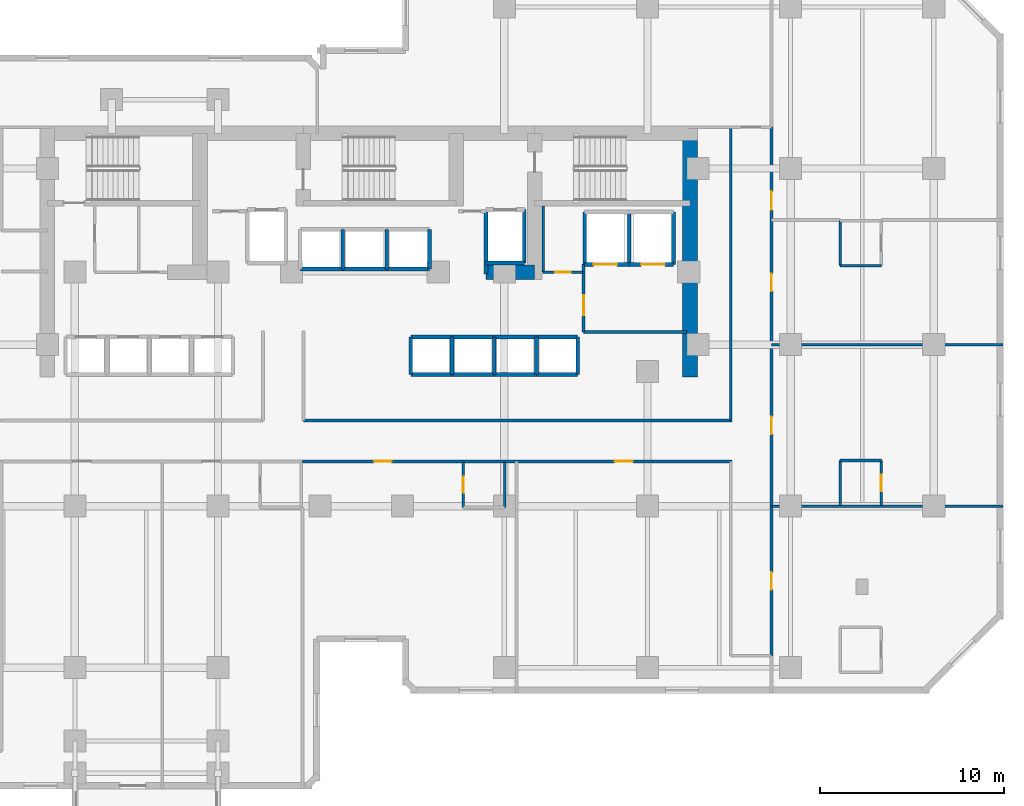
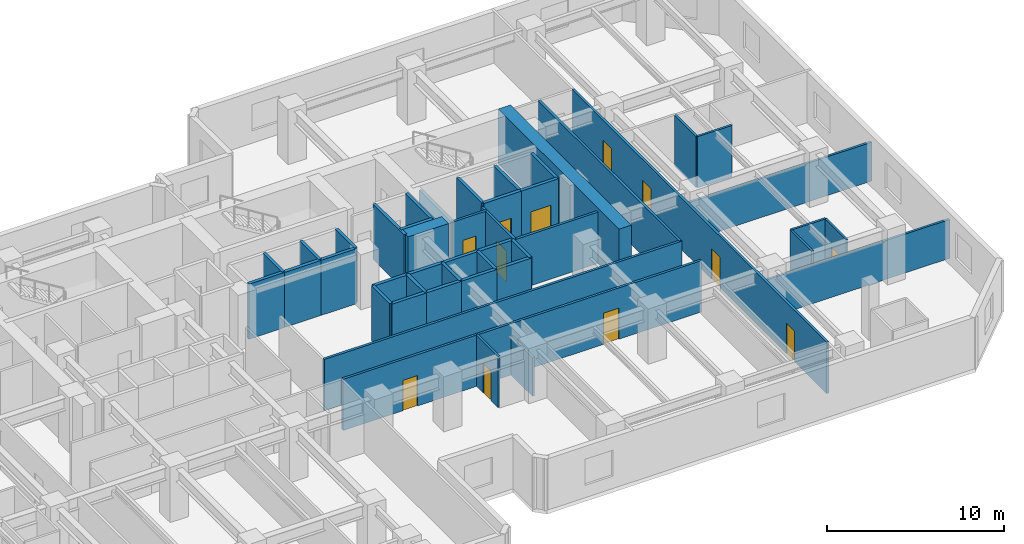
# One storey, part 8 of 12: 46 walls, 12 doors, 12 openings.
"""IFC4 building model written with IfcOpenShell, lengths in metres."""

from ifc_helpers import new_model, si_unit, direction, frame, frame_2d, origin, place, context, subcontext, project, spatial, rectangle, extrude, material, layer, layer_set, type_object, element, fill, save


model = new_model("IFC4")

# Units and contexts
model_context = context("Model", 3, precision=1e-05, world=origin(), true_north=direction((0.0, 1.0)))
body_context = subcontext(model_context, "Body", "Model", "MODEL_VIEW")
ifc_project = project(units=[si_unit("LENGTHUNIT", "METRE"), si_unit("AREAUNIT", "SQUARE_METRE"), si_unit("VOLUMEUNIT", "CUBIC_METRE"), si_unit("PLANEANGLEUNIT", "RADIAN"), si_unit("MASSUNIT", "GRAM", prefix="KILO")], contexts=[model_context])

# Site, building, storey
site_placement = place(None, origin())
site = spatial("IfcSite", under=ifc_project, at=site_placement, CompositionType="ELEMENT")
building_placement = place(site_placement, origin())
building = spatial("IfcBuilding", under=site, at=building_placement, Name="Kestravale Grand Hotel", CompositionType="ELEMENT")
storey_placement = place(building_placement, frame((0.0, 0.0, 99.39990234375)))
storey = spatial("IfcBuildingStorey", under=building, at=storey_placement, Name="L24", CompositionType="ELEMENT", Elevation=99.39990234375)

# Walls
ifc_material_1 = material(Name="Concrete f'c 60 MPa", Category="concrete")
ifc_layer_1 = layer(ifc_material_1, 0.800048828125)
ifc_layer_set_1 = layer_set([ifc_layer_1], Name="EW-CORE-800")
wall_type_1 = type_object("IfcWallType", Name="EW-CORE-800", PredefinedType="SHEAR", material=ifc_layer_set_1)
wall_1_placement = place(storey_placement, frame((56.919921875, 27.050048828125, 0.0), z_axis=(0.0, 0.0, 1.0), x_axis=(0.0, 1.0, 0.0)))
element("IfcWall", 1, at=wall_1_placement, inside=storey, type_object=wall_type_1, Name="L24 core shear wall E1", PredefinedType="SHEAR", context=body_context, shape_type="SweptSolid", body=[
    extrude(rectangle(XDim=13.669921875, YDim=0.800048828125, at=frame_2d((6.8349609375, 0.0))), origin(), (0.0, 0.0, 1.0), 3.800048828125),
])
wall_2_placement = place(storey_placement, frame((45.81005859375, 32.75, 0.0), z_axis=(0.0, 0.0, 1.0), x_axis=(1.0, 0.0, 0.0)))
element("IfcWall", 2, at=wall_2_placement, inside=storey, type_object=wall_type_1, Name="L24 core shear wall S2", PredefinedType="SHEAR", context=body_context, shape_type="SweptSolid", body=[
    extrude(rectangle(XDim=2.639892578125, YDim=0.800048828125, at=frame_2d((1.31982421875, 0.0))), origin(), (0.0, 0.0, 1.0), 3.800048828125),
])

# Wall, opening, door
ifc_material_2 = material(Name="Acoustic fire-rated gypsum board partition", Category="other")
ifc_layer_2 = layer(ifc_material_2, 0.159912109375)
ifc_layer_set_2 = layer_set([ifc_layer_2], Name="IW-CORR-160")
wall_type_2 = type_object("IfcWallType", Name="IW-CORR-160", PredefinedType="PARTITIONING", material=ifc_layer_set_2)
wall_3_placement = place(storey_placement, frame((51.1201171875, 29.5, 0.0), z_axis=(0.0, 0.0, 1.0), x_axis=(0.0, 1.0, 0.0)))
wall_3 = element("IfcWall", 3, at=wall_3_placement, inside=storey, type_object=wall_type_2, Name="W-L24-SVCLOB-W", PredefinedType="PARTITIONING", context=body_context, shape_type="SweptSolid", body=[
    extrude(rectangle(XDim=3.699951171875, YDim=0.159912109375, at=frame_2d((1.85009765625, 0.0))), origin(), (0.0, 0.0, 1.0), 3.5400390625),
])
opening_1_placement = place(wall_3_placement, frame((0.89990234375, 0.0, 0.0)))
opening_1 = element("IfcOpeningElement", 4, at=opening_1_placement, cuts=wall_3, Name="Opening D-CORR-1100", PredefinedType="OPENING", context=body_context, shape_type="SweptSolid", body=[
    extrude(rectangle(XDim=1.10009765625, YDim=2.14990234375, at=frame_2d((0.550048828125, 1.074951171875))), frame((0.0, 0.08984375, 0.0), z_axis=(0.0, -1.0, 0.0), x_axis=(1.0, 0.0, 0.0)), (0.0, 0.0, 1.0), 0.179931640625),
])
ifc_material_3 = material(Name="Single-leaf service vestibule fire door", Category="steel")
door_type_1 = type_object("IfcDoorType", Name="D-CORR-1100", OperationType="NOTDEFINED", PredefinedType="DOOR", material=ifc_material_3)
door_1_placement = place(opening_1_placement, origin())
door_1 = element("IfcDoor", 5, at=door_1_placement, inside=storey, type_object=door_type_1, Name="L24 service lift lobby door", OperationType="SINGLE_SWING_LEFT", OverallHeight=2.14990234375, OverallWidth=1.10009765625, PredefinedType="DOOR", context=body_context, shape_type="SweptSolid", body=[
    extrude(rectangle(XDim=1.10009765625, YDim=2.14990234375, at=frame_2d((0.550048828125, 1.074951171875))), frame((0.0, 0.02490234375, 0.0), z_axis=(0.0, -1.0, 0.0), x_axis=(1.0, 0.0, 0.0)), (0.0, 0.0, 1.0), 0.050048828125),
])
fill(opening_1, door_1)

# Wall
wall_4_placement = place(storey_placement, frame((51.1201171875, 29.5, 0.0), z_axis=(0.0, 0.0, 1.0), x_axis=(1.0, 0.0, 0.0)))
element("IfcWall", 6, at=wall_4_placement, inside=storey, type_object=wall_type_2, Name="L24 service lift lobby wall", PredefinedType="PARTITIONING", context=body_context, shape_type="SweptSolid", body=[
    extrude(rectangle(XDim=5.6298828125, YDim=0.159912109375, at=frame_2d((2.81494140625, 0.0))), origin(), (0.0, 0.0, 1.0), 3.5400390625),
])

# Wall, opening, door
wall_5_placement = place(storey_placement, frame((48.919921875, 32.75, 0.0), z_axis=(0.0, 0.0, 1.0), x_axis=(1.0, 0.0, 0.0)))
wall_5 = element("IfcWall", 7, at=wall_5_placement, inside=storey, type_object=wall_type_2, Name="W-L24-CES", PredefinedType="PARTITIONING", context=body_context, shape_type="SweptSolid", body=[
    extrude(rectangle(XDim=2.2001953125, YDim=0.159912109375, at=frame_2d((1.10009765625, 0.0))), origin(), (0.0, 0.0, 1.0), 3.5400390625),
])
opening_2_placement = place(wall_5_placement, frame((0.64990234375, 0.0, 0.0)))
opening_2 = element("IfcOpeningElement", 8, at=opening_2_placement, cuts=wall_5, Name="Opening D-SH-860", PredefinedType="OPENING", context=body_context, shape_type="SweptSolid", body=[
    extrude(rectangle(XDim=0.860107421875, YDim=2.050048828125, at=frame_2d((0.43017578125, 1.02490234375))), frame((0.0, 0.08984375, 0.0), z_axis=(0.0, -1.0, 0.0), x_axis=(1.0, 0.0, 0.0)), (0.0, 0.0, 1.0), 0.179931640625),
])
ifc_material_4 = material(Name="Galvanised 90-minute riser fire door", Category="steel")
door_type_2 = type_object("IfcDoorType", Name="D-SH-860", OperationType="NOTDEFINED", PredefinedType="DOOR", material=ifc_material_4)
door_2_placement = place(opening_2_placement, origin())
door_2 = element("IfcDoor", 9, at=door_2_placement, inside=storey, type_object=door_type_2, Name="L24 CSTO1 door", OperationType="SINGLE_SWING_RIGHT", OverallHeight=2.050048828125, OverallWidth=0.860107421875, PredefinedType="DOOR", context=body_context, shape_type="SweptSolid", body=[
    extrude(rectangle(XDim=0.860107421875, YDim=2.050048828125, at=frame_2d((0.43017578125, 1.02490234375))), frame((0.0, 0.02490234375, 0.0), z_axis=(0.0, -1.0, 0.0), x_axis=(1.0, 0.0, 0.0)), (0.0, 0.0, 1.0), 0.050048828125),
])
fill(opening_2, door_2)

# Wall
wall_6_placement = place(storey_placement, frame((35.85009765625, 24.659912109375, 0.0), z_axis=(0.0, 0.0, 1.0), x_axis=(1.0, 0.0, 0.0)))
element("IfcWall", 10, at=wall_6_placement, inside=storey, type_object=wall_type_2, Name="W-L24-CE-N", PredefinedType="PARTITIONING", context=body_context, shape_type="SweptSolid", body=[
    extrude(rectangle(XDim=23.349853515625, YDim=0.159912109375, at=frame_2d((11.6748046875, 0.0))), origin(), (0.0, 0.0, 1.0), 3.5400390625),
])

# Wall, openings, doors
wall_7_placement = place(storey_placement, frame((35.800048828125, 22.43994140625, 0.0), z_axis=(0.0, 0.0, 1.0), x_axis=(1.0, 0.0, 0.0)))
wall_7 = element("IfcWall", 11, at=wall_7_placement, inside=storey, type_object=wall_type_2, Name="W-L24-CE-S", PredefinedType="PARTITIONING", context=body_context, shape_type="SweptSolid", body=[
    extrude(rectangle(XDim=23.39990234375, YDim=0.159912109375, at=frame_2d((11.699951171875, 0.0))), origin(), (0.0, 0.0, 1.0), 3.5400390625),
])
opening_3_placement = place(wall_7_placement, frame((3.909912109375, 0.0, 0.0)))
opening_3 = element("IfcOpeningElement", 12, at=opening_3_placement, cuts=wall_7, Name="Opening D-GUEST-950", PredefinedType="OPENING", context=body_context, shape_type="SweptSolid", body=[
    extrude(rectangle(XDim=0.949951171875, YDim=2.10009765625, at=frame_2d((0.47509765625, 1.050048828125))), frame((0.0, 0.08984375, 0.0), z_axis=(0.0, -1.0, 0.0), x_axis=(1.0, 0.0, 0.0)), (0.0, 0.0, 1.0), 0.179931640625),
])
opening_4_placement = place(wall_7_placement, frame((17.0048828125, 0.0, 0.0)))
opening_4 = element("IfcOpeningElement", 13, at=opening_4_placement, cuts=wall_7, Name="Opening D-GUEST-1000", PredefinedType="OPENING", context=body_context, shape_type="SweptSolid", body=[
    extrude(rectangle(XDim=1.0, YDim=2.14990234375, at=frame_2d((0.5, 1.074951171875))), frame((0.0, 0.08984375, 0.0), z_axis=(0.0, -1.0, 0.0), x_axis=(1.0, 0.0, 0.0)), (0.0, 0.0, 1.0), 0.179931640625),
])
ifc_material_5 = material(Name="Accessible walnut veneer hotel entrance fire door", Category="wood")
door_type_3 = type_object("IfcDoorType", Name="D-GUEST-1000", OperationType="NOTDEFINED", PredefinedType="DOOR", material=ifc_material_5)
door_3_placement = place(opening_4_placement, origin())
door_3 = element("IfcDoor", 14, at=door_3_placement, inside=storey, type_object=door_type_3, Name="D-L24-AME", OperationType="SINGLE_SWING_RIGHT", OverallHeight=2.14990234375, OverallWidth=1.0, PredefinedType="DOOR", context=body_context, shape_type="SweptSolid", body=[
    extrude(rectangle(XDim=1.0, YDim=2.14990234375, at=frame_2d((0.5, 1.074951171875))), frame((0.0, 0.02490234375, 0.0), z_axis=(0.0, -1.0, 0.0), x_axis=(1.0, 0.0, 0.0)), (0.0, 0.0, 1.0), 0.050048828125),
])
fill(opening_4, door_3)
ifc_material_6 = material(Name="Walnut veneer hotel guestroom entrance fire door", Category="wood")
door_type_4 = type_object("IfcDoorType", Name="D-GUEST-950", OperationType="NOTDEFINED", PredefinedType="DOOR", material=ifc_material_6)
door_4_placement = place(opening_3_placement, origin())
door_4 = element("IfcDoor", 15, at=door_4_placement, inside=storey, type_object=door_type_4, Name="D-L24-U02-ENT", OperationType="SINGLE_SWING_LEFT", OverallHeight=2.10009765625, OverallWidth=0.949951171875, PredefinedType="DOOR", context=body_context, shape_type="SweptSolid", body=[
    extrude(rectangle(XDim=0.949951171875, YDim=2.10009765625, at=frame_2d((0.47509765625, 1.050048828125))), frame((0.0, 0.02490234375, 0.0), z_axis=(0.0, -1.0, 0.0), x_axis=(1.0, 0.0, 0.0)), (0.0, 0.0, 1.0), 0.050048828125),
])
fill(opening_3, door_4)

wall_8_placement = place(storey_placement, frame((61.360107421875, 11.85009765625, 0.0), z_axis=(0.0, 0.0, 1.0), x_axis=(0.0, 1.0, 0.0)))
wall_8 = element("IfcWall", 16, at=wall_8_placement, inside=storey, type_object=wall_type_2, Name="W-L24-SE-E", PredefinedType="PARTITIONING", context=body_context, shape_type="SweptSolid", body=[
    extrude(rectangle(XDim=28.7998046875, YDim=0.159912109375, at=frame_2d((14.39990234375, 0.0))), origin(), (0.0, 0.0, 1.0), 3.5400390625),
])
opening_5_placement = place(wall_8_placement, frame((3.60009765625, 0.0, 0.0)))
opening_5 = element("IfcOpeningElement", 17, at=opening_5_placement, cuts=wall_8, Name="Opening D-GUEST-950", PredefinedType="OPENING", context=body_context, shape_type="SweptSolid", body=[
    extrude(rectangle(XDim=0.949951171875, YDim=2.10009765625, at=frame_2d((0.47509765625, 1.050048828125))), frame((0.0, 0.08984375, 0.0), z_axis=(0.0, -1.0, 0.0), x_axis=(1.0, 0.0, 0.0)), (0.0, 0.0, 1.0), 0.179931640625),
])
opening_6_placement = place(wall_8_placement, frame((12.074951171875, 0.0, 0.0)))
opening_6 = element("IfcOpeningElement", 18, at=opening_6_placement, cuts=wall_8, Name="Opening D-GUEST-950", PredefinedType="OPENING", context=body_context, shape_type="SweptSolid", body=[
    extrude(rectangle(XDim=0.949951171875, YDim=2.10009765625, at=frame_2d((0.47509765625, 1.050048828125))), frame((0.0, 0.08984375, 0.0), z_axis=(0.0, -1.0, 0.0), x_axis=(1.0, 0.0, 0.0)), (0.0, 0.0, 1.0), 0.179931640625),
])
opening_7_placement = place(wall_8_placement, frame((19.875, 0.0, 0.0)))
opening_7 = element("IfcOpeningElement", 19, at=opening_7_placement, cuts=wall_8, Name="Opening D-GUEST-950", PredefinedType="OPENING", context=body_context, shape_type="SweptSolid", body=[
    extrude(rectangle(XDim=0.949951171875, YDim=2.10009765625, at=frame_2d((0.47509765625, 1.050048828125))), frame((0.0, 0.08984375, 0.0), z_axis=(0.0, -1.0, 0.0), x_axis=(1.0, 0.0, 0.0)), (0.0, 0.0, 1.0), 0.179931640625),
])
opening_8_placement = place(wall_8_placement, frame((24.300048828125, 0.0, 0.0)))
opening_8 = element("IfcOpeningElement", 20, at=opening_8_placement, cuts=wall_8, Name="Opening D-GUEST-1000", PredefinedType="OPENING", context=body_context, shape_type="SweptSolid", body=[
    extrude(rectangle(XDim=1.0, YDim=2.14990234375, at=frame_2d((0.5, 1.074951171875))), frame((0.0, 0.08984375, 0.0), z_axis=(0.0, -1.0, 0.0), x_axis=(1.0, 0.0, 0.0)), (0.0, 0.0, 1.0), 0.179931640625),
])
door_5_placement = place(opening_8_placement, origin())
door_5 = element("IfcDoor", 21, at=door_5_placement, inside=storey, type_object=door_type_3, Name="D-L24-AMEW", OperationType="SINGLE_SWING_RIGHT", OverallHeight=2.14990234375, OverallWidth=1.0, PredefinedType="DOOR", context=body_context, shape_type="SweptSolid", body=[
    extrude(rectangle(XDim=1.0, YDim=2.14990234375, at=frame_2d((0.5, 1.074951171875))), frame((0.0, 0.02490234375, 0.0), z_axis=(0.0, -1.0, 0.0), x_axis=(1.0, 0.0, 0.0)), (0.0, 0.0, 1.0), 0.050048828125),
])
fill(opening_8, door_5)
door_6_placement = place(opening_5_placement, origin())
door_6 = element("IfcDoor", 22, at=door_6_placement, inside=storey, type_object=door_type_4, Name="D-L24-U07-ENT", OperationType="SINGLE_SWING_LEFT", OverallHeight=2.10009765625, OverallWidth=0.949951171875, PredefinedType="DOOR", context=body_context, shape_type="SweptSolid", body=[
    extrude(rectangle(XDim=0.949951171875, YDim=2.10009765625, at=frame_2d((0.47509765625, 1.050048828125))), frame((0.0, 0.02490234375, 0.0), z_axis=(0.0, -1.0, 0.0), x_axis=(1.0, 0.0, 0.0)), (0.0, 0.0, 1.0), 0.050048828125),
])
fill(opening_5, door_6)
door_7_placement = place(opening_6_placement, origin())
door_7 = element("IfcDoor", 23, at=door_7_placement, inside=storey, type_object=door_type_4, Name="D-L24-U08-ENT", OperationType="SINGLE_SWING_LEFT", OverallHeight=2.10009765625, OverallWidth=0.949951171875, PredefinedType="DOOR", context=body_context, shape_type="SweptSolid", body=[
    extrude(rectangle(XDim=0.949951171875, YDim=2.10009765625, at=frame_2d((0.47509765625, 1.050048828125))), frame((0.0, 0.02490234375, 0.0), z_axis=(0.0, -1.0, 0.0), x_axis=(1.0, 0.0, 0.0)), (0.0, 0.0, 1.0), 0.050048828125),
])
fill(opening_6, door_7)
door_8_placement = place(opening_7_placement, origin())
door_8 = element("IfcDoor", 24, at=door_8_placement, inside=storey, type_object=door_type_4, Name="D-L24-U09-ENT", OperationType="SINGLE_SWING_LEFT", OverallHeight=2.10009765625, OverallWidth=0.949951171875, PredefinedType="DOOR", context=body_context, shape_type="SweptSolid", body=[
    extrude(rectangle(XDim=0.949951171875, YDim=2.10009765625, at=frame_2d((0.47509765625, 1.050048828125))), frame((0.0, 0.02490234375, 0.0), z_axis=(0.0, -1.0, 0.0), x_axis=(1.0, 0.0, 0.0)), (0.0, 0.0, 1.0), 0.050048828125),
])
fill(opening_7, door_8)

# Wall
wall_9_placement = place(storey_placement, frame((59.139892578125, 24.659912109375, 0.0), z_axis=(0.0, 0.0, 1.0), x_axis=(0.0, 1.0, 0.0)))
element("IfcWall", 25, at=wall_9_placement, inside=storey, type_object=wall_type_2, Name="W-L24-SE-WU", PredefinedType="PARTITIONING", context=body_context, shape_type="SweptSolid", body=[
    extrude(rectangle(XDim=15.989990234375, YDim=0.159912109375, at=frame_2d((7.9951171875, 0.0))), origin(), (0.0, 0.0, 1.0), 3.5400390625),
])

# Wall, opening, door
ifc_material_7 = material(Name="Moisture-resistant tile-backer plumbing chase wall", Category="other")
ifc_layer_3 = layer(ifc_material_7, 0.139892578125)
ifc_layer_set_3 = layer_set([ifc_layer_3], Name="IW-PLB-140")
wall_type_3 = type_object("IfcWallType", Name="IW-PLB-140", PredefinedType="PLUMBINGWALL", material=ifc_layer_set_3)
wall_10_placement = place(storey_placement, frame((44.570068359375, 19.929931640625, 0.0), z_axis=(0.0, 0.0, 1.0), x_axis=(0.0, 1.0, 0.0)))
wall_10 = element("IfcWall", 26, at=wall_10_placement, inside=storey, type_object=wall_type_3, Name="W-L24-U02-BW", PredefinedType="PLUMBINGWALL", context=body_context, shape_type="SweptSolid", body=[
    extrude(rectangle(XDim=2.489990234375, YDim=0.139892578125, at=frame_2d((1.2451171875, 0.0))), origin(), (0.0, 0.0, 1.0), 3.5400390625),
])
opening_9_placement = place(wall_10_placement, frame((0.804931640625, 0.0, 0.0)))
opening_9 = element("IfcOpeningElement", 27, at=opening_9_placement, cuts=wall_10, Name="Opening D-BATH-880", PredefinedType="OPENING", context=body_context, shape_type="SweptSolid", body=[
    extrude(rectangle(XDim=0.8798828125, YDim=2.050048828125, at=frame_2d((0.43994140625, 1.02490234375))), frame((0.0, 0.079833984375, 0.0), z_axis=(0.0, -1.0, 0.0), x_axis=(1.0, 0.0, 0.0)), (0.0, 0.0, 1.0), 0.159912109375),
])
ifc_material_8 = material(Name="Moisture-sealed walnut en-suite bathroom door", Category="wood")
door_type_5 = type_object("IfcDoorType", Name="D-BATH-880", OperationType="NOTDEFINED", PredefinedType="DOOR", material=ifc_material_8)
door_9_placement = place(opening_9_placement, origin())
door_9 = element("IfcDoor", 28, at=door_9_placement, inside=storey, type_object=door_type_5, Name="D-L24-U02-BATH", OperationType="SINGLE_SWING_RIGHT", OverallHeight=2.050048828125, OverallWidth=0.8798828125, PredefinedType="DOOR", context=body_context, shape_type="SweptSolid", body=[
    extrude(rectangle(XDim=0.8798828125, YDim=2.050048828125, at=frame_2d((0.43994140625, 1.02490234375))), frame((0.0, 0.02490234375, 0.0), z_axis=(0.0, -1.0, 0.0), x_axis=(1.0, 0.0, 0.0)), (0.0, 0.0, 1.0), 0.050048828125),
])
fill(opening_9, door_9)

# Walls
wall_11_placement = place(storey_placement, frame((46.820068359375, 19.929931640625, 0.0), z_axis=(0.0, 0.0, 1.0), x_axis=(0.0, 1.0, 0.0)))
element("IfcWall", 29, at=wall_11_placement, inside=storey, type_object=wall_type_3, Name="W-L24-U02-BE", PredefinedType="PLUMBINGWALL", context=body_context, shape_type="SweptSolid", body=[
    extrude(rectangle(XDim=2.489990234375, YDim=0.139892578125, at=frame_2d((1.2451171875, 0.0))), origin(), (0.0, 0.0, 1.0), 2.67919921875),
])
wall_12_placement = place(storey_placement, frame((65.10009765625, 20.0400390625, 0.0), z_axis=(0.0, 0.0, 1.0), x_axis=(0.0, 1.0, 0.0)))
element("IfcWall", 30, at=wall_12_placement, inside=storey, type_object=wall_type_3, Name="W-L24-U08-BW", PredefinedType="PLUMBINGWALL", context=body_context, shape_type="SweptSolid", body=[
    extrude(rectangle(XDim=2.449951171875, YDim=0.139892578125, at=frame_2d((1.22509765625, 0.0))), origin(), (0.0, 0.0, 1.0), 3.5400390625),
])

# Wall, opening, door
wall_13_placement = place(storey_placement, frame((67.35009765625, 20.0400390625, 0.0), z_axis=(0.0, 0.0, 1.0), x_axis=(0.0, 1.0, 0.0)))
wall_13 = element("IfcWall", 31, at=wall_13_placement, inside=storey, type_object=wall_type_3, Name="W-L24-U08-BE", PredefinedType="PLUMBINGWALL", context=body_context, shape_type="SweptSolid", body=[
    extrude(rectangle(XDim=2.449951171875, YDim=0.139892578125, at=frame_2d((1.22509765625, 0.0))), origin(), (0.0, 0.0, 1.0), 3.5400390625),
])
opening_10_placement = place(wall_13_placement, frame((0.784912109375, 0.0, 0.0)))
opening_10 = element("IfcOpeningElement", 32, at=opening_10_placement, cuts=wall_13, Name="Opening D-BATH-880", PredefinedType="OPENING", context=body_context, shape_type="SweptSolid", body=[
    extrude(rectangle(XDim=0.8798828125, YDim=2.050048828125, at=frame_2d((0.43994140625, 1.02490234375))), frame((0.0, 0.079833984375, 0.0), z_axis=(0.0, -1.0, 0.0), x_axis=(1.0, 0.0, 0.0)), (0.0, 0.0, 1.0), 0.159912109375),
])
door_10_placement = place(opening_10_placement, origin())
door_10 = element("IfcDoor", 33, at=door_10_placement, inside=storey, type_object=door_type_5, Name="D-L24-U08-BATH", OperationType="SINGLE_SWING_RIGHT", OverallHeight=2.050048828125, OverallWidth=0.8798828125, PredefinedType="DOOR", context=body_context, shape_type="SweptSolid", body=[
    extrude(rectangle(XDim=0.8798828125, YDim=2.050048828125, at=frame_2d((0.43994140625, 1.02490234375))), frame((0.0, 0.02490234375, 0.0), z_axis=(0.0, -1.0, 0.0), x_axis=(1.0, 0.0, 0.0)), (0.0, 0.0, 1.0), 0.050048828125),
])
fill(opening_10, door_10)

# Walls
wall_14_placement = place(storey_placement, frame((65.10009765625, 22.489990234375, 0.0), z_axis=(0.0, 0.0, 1.0), x_axis=(1.0, 0.0, 0.0)))
element("IfcWall", 34, at=wall_14_placement, inside=storey, type_object=wall_type_3, Name="W-L24-U08-BN", PredefinedType="PLUMBINGWALL", context=body_context, shape_type="SweptSolid", body=[
    extrude(rectangle(XDim=2.25, YDim=0.139892578125, at=frame_2d((1.125, 0.0))), origin(), (0.0, 0.0, 1.0), 3.5400390625),
])
wall_15_placement = place(storey_placement, frame((65.10009765625, 33.110107421875, 0.0), z_axis=(0.0, 0.0, 1.0), x_axis=(0.0, 1.0, 0.0)))
element("IfcWall", 35, at=wall_15_placement, inside=storey, type_object=wall_type_3, Name="W-L24-U09-BW", PredefinedType="PLUMBINGWALL", context=body_context, shape_type="SweptSolid", body=[
    extrude(rectangle(XDim=2.449951171875, YDim=0.139892578125, at=frame_2d((1.22509765625, 0.0))), origin(), (0.0, 0.0, 1.0), 3.5400390625),
])
wall_16_placement = place(storey_placement, frame((65.10009765625, 33.110107421875, 0.0), z_axis=(0.0, 0.0, 1.0), x_axis=(1.0, 0.0, 0.0)))
element("IfcWall", 36, at=wall_16_placement, inside=storey, type_object=wall_type_3, Name="W-L24-U09-BS", PredefinedType="PLUMBINGWALL", context=body_context, shape_type="SweptSolid", body=[
    extrude(rectangle(XDim=2.25, YDim=0.139892578125, at=frame_2d((1.125, 0.0))), origin(), (0.0, 0.0, 1.0), 3.5400390625),
])
ifc_material_9 = material(Name="Concrete f'c 45 MPa", Category="concrete")
ifc_layer_4 = layer(ifc_material_9, 0.199951171875)
ifc_layer_set_4 = layer_set([ifc_layer_4], Name="IW-SHAFT-200")
wall_type_4 = type_object("IfcWallType", Name="IW-SHAFT-200", PredefinedType="SHEAR", material=ifc_layer_set_4)
for number, where, z_axis, x_axis, name in (
    (37, (41.705078125, 27.169921875, 0.0), (0.0, 0.0, 1.0), (0.0, 1.0, 0.0), "L24 PL-M1 west shaft wall"),
    (38, (43.949951171875, 27.169921875, 0.0), (0.0, 0.0, 1.0), (0.0, 1.0, 0.0), "L24 PL-M2 west shaft wall"),
    (39, (46.25, 27.169921875, 0.0), (0.0, 0.0, 1.0), (0.0, 1.0, 0.0), "L24 PL-M3 west shaft wall"),
    (40, (48.550048828125, 27.169921875, 0.0), (0.0, 0.0, 1.0), (0.0, 1.0, 0.0), "L24 PL-M4 west shaft wall"),
    (41, (50.794921875, 27.169921875, 0.0), (0.0, 0.0, 1.0), (0.0, 1.0, 0.0), "L24 PL-M4 east shaft wall"),
):
    element("IfcWall", number, at=place(storey_placement, frame(where, z_axis=z_axis, x_axis=x_axis)), inside=storey, type_object=wall_type_4, Name=name, PredefinedType="SHEAR", context=body_context, shape_type="SweptSolid", body=[
        extrude(rectangle(XDim=2.06005859375, YDim=0.199951171875, at=frame_2d((1.030029296875, 0.0))), origin(), (0.0, 0.0, 1.0), 3.800048828125),
    ])
for number, where, z_axis, x_axis, name in (
    (42, (38.0, 32.919921875, 0.0), (0.0, 0.0, 1.0), (0.0, 1.0, 0.0), "L24 PL-X2 west shaft wall"),
    (43, (40.39990234375, 32.919921875, 0.0), (0.0, 0.0, 1.0), (0.0, 1.0, 0.0), "L24 PL-X3 west shaft wall"),
    (44, (42.719970703125, 32.919921875, 0.0), (0.0, 0.0, 1.0), (0.0, 1.0, 0.0), "L24 PL-X3 east shaft wall"),
):
    element("IfcWall", number, at=place(storey_placement, frame(where, z_axis=z_axis, x_axis=x_axis)), inside=storey, type_object=wall_type_4, Name=name, PredefinedType="SHEAR", context=body_context, shape_type="SweptSolid", body=[
        extrude(rectangle(XDim=2.16015625, YDim=0.199951171875, at=frame_2d((1.080078125, 0.0))), origin(), (0.0, 0.0, 1.0), 3.800048828125),
    ])
for number, where, z_axis, x_axis, name in (
    (45, (51.179931640625, 33.169921875, 0.0), (0.0, 0.0, 1.0), (0.0, 1.0, 0.0), "L24 SL-1 west shaft wall"),
    (46, (53.60009765625, 33.169921875, 0.0), (0.0, 0.0, 1.0), (0.0, 1.0, 0.0), "L24 SL-2 west shaft wall"),
    (47, (56.02001953125, 33.169921875, 0.0), (0.0, 0.0, 1.0), (0.0, 1.0, 0.0), "L24 SL-2 east shaft wall"),
):
    element("IfcWall", number, at=place(storey_placement, frame(where, z_axis=z_axis, x_axis=x_axis)), inside=storey, type_object=wall_type_4, Name=name, PredefinedType="SHEAR", context=body_context, shape_type="SweptSolid", body=[
        extrude(rectangle(XDim=2.860107421875, YDim=0.199951171875, at=frame_2d((1.43017578125, 0.0))), origin(), (0.0, 0.0, 1.0), 3.800048828125),
    ])
wall_17_placement = place(storey_placement, frame((45.804931640625, 32.64990234375, 0.0), z_axis=(0.0, 0.0, 1.0), x_axis=(0.0, 1.0, 0.0)))
element("IfcWall", 48, at=wall_17_placement, inside=storey, type_object=wall_type_4, Name="L24 FL-2 west shaft wall", PredefinedType="SHEAR", context=body_context, shape_type="SweptSolid", body=[
    extrude(rectangle(XDim=3.505126953125, YDim=0.199951171875, at=frame_2d((1.75244140625, 0.0))), origin(), (0.0, 0.0, 1.0), 3.800048828125),
])
wall_18_placement = place(storey_placement, frame((47.89501953125, 33.2451171875, 0.0), z_axis=(0.0, 0.0, 1.0), x_axis=(0.0, 1.0, 0.0)))
element("IfcWall", 49, at=wall_18_placement, inside=storey, type_object=wall_type_4, Name="L24 FL-2 east shaft wall", PredefinedType="SHEAR", context=body_context, shape_type="SweptSolid", body=[
    extrude(rectangle(XDim=2.909912109375, YDim=0.199951171875, at=frame_2d((1.455078125, 0.0))), origin(), (0.0, 0.0, 1.0), 3.800048828125),
])
ifc_material_10 = material(Name="Concrete f'c 45 MPa", Category="concrete")
ifc_layer_5 = layer(ifc_material_10, 0.219970703125)
ifc_layer_set_5 = layer_set([ifc_layer_5], Name="IW-SHAFT-220")
wall_type_5 = type_object("IfcWallType", Name="IW-SHAFT-220", PredefinedType="SHEAR", material=ifc_layer_set_5)
for number, where, z_axis, x_axis, name in (
    (50, (41.705078125, 29.22998046875, 0.0), (0.0, 0.0, 1.0), (1.0, 0.0, 0.0), "L24 PL-M1 north shaft wall"),
    (51, (41.705078125, 27.169921875, 0.0), (0.0, 0.0, 1.0), (1.0, 0.0, 0.0), "L24 PL-M1 south shaft wall"),
):
    element("IfcWall", number, at=place(storey_placement, frame(where, z_axis=z_axis, x_axis=x_axis)), inside=storey, type_object=wall_type_5, Name=name, PredefinedType="SHEAR", context=body_context, shape_type="SweptSolid", body=[
        extrude(rectangle(XDim=2.244873046875, YDim=0.219970703125, at=frame_2d((1.12255859375, 0.0))), origin(), (0.0, 0.0, 1.0), 3.800048828125),
    ])
for number, where, z_axis, x_axis, name in (
    (52, (43.949951171875, 29.22998046875, 0.0), (0.0, 0.0, 1.0), (1.0, 0.0, 0.0), "L24 PL-M2 north shaft wall"),
    (53, (43.949951171875, 27.169921875, 0.0), (0.0, 0.0, 1.0), (1.0, 0.0, 0.0), "L24 PL-M2 south shaft wall"),
    (54, (46.25, 29.22998046875, 0.0), (0.0, 0.0, 1.0), (1.0, 0.0, 0.0), "L24 PL-M3 north shaft wall"),
    (55, (46.25, 27.169921875, 0.0), (0.0, 0.0, 1.0), (1.0, 0.0, 0.0), "L24 PL-M3 south shaft wall"),
):
    element("IfcWall", number, at=place(storey_placement, frame(where, z_axis=z_axis, x_axis=x_axis)), inside=storey, type_object=wall_type_5, Name=name, PredefinedType="SHEAR", context=body_context, shape_type="SweptSolid", body=[
        extrude(rectangle(XDim=2.300048828125, YDim=0.219970703125, at=frame_2d((1.14990234375, 0.0))), origin(), (0.0, 0.0, 1.0), 3.800048828125),
    ])
for number, where, z_axis, x_axis, name in (
    (56, (48.550048828125, 29.22998046875, 0.0), (0.0, 0.0, 1.0), (1.0, 0.0, 0.0), "L24 PL-M4 north shaft wall"),
    (57, (48.550048828125, 27.169921875, 0.0), (0.0, 0.0, 1.0), (1.0, 0.0, 0.0), "L24 PL-M4 south shaft wall"),
):
    element("IfcWall", number, at=place(storey_placement, frame(where, z_axis=z_axis, x_axis=x_axis)), inside=storey, type_object=wall_type_5, Name=name, PredefinedType="SHEAR", context=body_context, shape_type="SweptSolid", body=[
        extrude(rectangle(XDim=2.244873046875, YDim=0.219970703125, at=frame_2d((1.12255859375, 0.0))), origin(), (0.0, 0.0, 1.0), 3.800048828125),
    ])
wall_19_placement = place(storey_placement, frame((35.679931640625, 32.919921875, 0.0), z_axis=(0.0, 0.0, 1.0), x_axis=(1.0, 0.0, 0.0)))
element("IfcWall", 58, at=wall_19_placement, inside=storey, type_object=wall_type_5, Name="L24 PL-X1 south shaft wall", PredefinedType="SHEAR", context=body_context, shape_type="SweptSolid", body=[
    extrude(rectangle(XDim=2.320068359375, YDim=0.219970703125, at=frame_2d((1.16015625, 0.0))), origin(), (0.0, 0.0, 1.0), 3.800048828125),
])
wall_20_placement = place(storey_placement, frame((38.0, 32.919921875, 0.0), z_axis=(0.0, 0.0, 1.0), x_axis=(1.0, 0.0, 0.0)))
element("IfcWall", 59, at=wall_20_placement, inside=storey, type_object=wall_type_5, Name="L24 PL-X2 south shaft wall", PredefinedType="SHEAR", context=body_context, shape_type="SweptSolid", body=[
    extrude(rectangle(XDim=2.39990234375, YDim=0.219970703125, at=frame_2d((1.199951171875, 0.0))), origin(), (0.0, 0.0, 1.0), 3.800048828125),
])
wall_21_placement = place(storey_placement, frame((40.39990234375, 32.919921875, 0.0), z_axis=(0.0, 0.0, 1.0), x_axis=(1.0, 0.0, 0.0)))
element("IfcWall", 60, at=wall_21_placement, inside=storey, type_object=wall_type_5, Name="L24 PL-X3 south shaft wall", PredefinedType="SHEAR", context=body_context, shape_type="SweptSolid", body=[
    extrude(rectangle(XDim=2.320068359375, YDim=0.219970703125, at=frame_2d((1.16015625, 0.0))), origin(), (0.0, 0.0, 1.0), 3.800048828125),
])

# Wall, opening, door
wall_22_placement = place(storey_placement, frame((51.179931640625, 33.169921875, 0.0), z_axis=(0.0, 0.0, 1.0), x_axis=(1.0, 0.0, 0.0)))
wall_22 = element("IfcWall", 61, at=wall_22_placement, inside=storey, type_object=wall_type_5, Name="L24 SL-1 south shaft wall", PredefinedType="SHEAR", context=body_context, shape_type="SweptSolid", body=[
    extrude(rectangle(XDim=2.420166015625, YDim=0.219970703125, at=frame_2d((1.2099609375, 0.0))), origin(), (0.0, 0.0, 1.0), 3.800048828125),
])
opening_11_placement = place(wall_22_placement, frame((0.469970703125, 0.0, 0.0)))
opening_11 = element("IfcOpeningElement", 62, at=opening_11_placement, cuts=wall_22, Name="Opening LD-SVC-1300", PredefinedType="OPENING", context=body_context, shape_type="SweptSolid", body=[
    extrude(rectangle(XDim=1.300048828125, YDim=2.14990234375, at=frame_2d((0.64990234375, 1.074951171875))), frame((0.0, 0.119873046875, 0.0), z_axis=(0.0, -1.0, 0.0), x_axis=(1.0, 0.0, 0.0)), (0.0, 0.0, 1.0), 0.239990234375),
])
ifc_material_11 = material(Name="Heavy-duty service sliding elevator landing door", Category="steel")
door_type_6 = type_object("IfcDoorType", Name="LD-SVC-1300", OperationType="NOTDEFINED", PredefinedType="DOOR", material=ifc_material_11)
door_11_placement = place(opening_11_placement, origin())
door_11 = element("IfcDoor", 63, at=door_11_placement, inside=storey, type_object=door_type_6, Name="L24 SL-1 elevator landing sliding door", OperationType="DOUBLE_DOOR_SLIDING", OverallHeight=2.14990234375, OverallWidth=1.300048828125, PredefinedType="DOOR", context=body_context, shape_type="SweptSolid", body=[
    extrude(rectangle(XDim=1.300048828125, YDim=2.14990234375, at=frame_2d((0.64990234375, 1.074951171875))), frame((0.0, 0.02490234375, 0.0), z_axis=(0.0, -1.0, 0.0), x_axis=(1.0, 0.0, 0.0)), (0.0, 0.0, 1.0), 0.050048828125),
])
fill(opening_11, door_11)

wall_23_placement = place(storey_placement, frame((53.60009765625, 33.169921875, 0.0), z_axis=(0.0, 0.0, 1.0), x_axis=(1.0, 0.0, 0.0)))
wall_23 = element("IfcWall", 64, at=wall_23_placement, inside=storey, type_object=wall_type_5, Name="L24 SL-2 south shaft wall", PredefinedType="SHEAR", context=body_context, shape_type="SweptSolid", body=[
    extrude(rectangle(XDim=2.419921875, YDim=0.219970703125, at=frame_2d((1.2099609375, 0.0))), origin(), (0.0, 0.0, 1.0), 3.800048828125),
])
opening_12_placement = place(wall_23_placement, frame((0.64990234375, 0.0, 0.0)))
opening_12 = element("IfcOpeningElement", 65, at=opening_12_placement, cuts=wall_23, Name="Opening LD-SVC-1300", PredefinedType="OPENING", context=body_context, shape_type="SweptSolid", body=[
    extrude(rectangle(XDim=1.300048828125, YDim=2.14990234375, at=frame_2d((0.64990234375, 1.074951171875))), frame((0.0, 0.119873046875, 0.0), z_axis=(0.0, -1.0, 0.0), x_axis=(1.0, 0.0, 0.0)), (0.0, 0.0, 1.0), 0.239990234375),
])
door_12_placement = place(opening_12_placement, origin())
door_12 = element("IfcDoor", 66, at=door_12_placement, inside=storey, type_object=door_type_6, Name="L24 SL-2 elevator landing sliding door", OperationType="DOUBLE_DOOR_SLIDING", OverallHeight=2.14990234375, OverallWidth=1.300048828125, PredefinedType="DOOR", context=body_context, shape_type="SweptSolid", body=[
    extrude(rectangle(XDim=1.300048828125, YDim=2.14990234375, at=frame_2d((0.64990234375, 1.074951171875))), frame((0.0, 0.02490234375, 0.0), z_axis=(0.0, -1.0, 0.0), x_axis=(1.0, 0.0, 0.0)), (0.0, 0.0, 1.0), 0.050048828125),
])
fill(opening_12, door_12)

# Walls
wall_24_placement = place(storey_placement, frame((45.804931640625, 33.2451171875, 0.0), z_axis=(0.0, 0.0, 1.0), x_axis=(1.0, 0.0, 0.0)))
element("IfcWall", 67, at=wall_24_placement, inside=storey, type_object=wall_type_5, Name="L24 FL-2 south shaft wall", PredefinedType="SHEAR", context=body_context, shape_type="SweptSolid", body=[
    extrude(rectangle(XDim=2.090087890625, YDim=0.219970703125, at=frame_2d((1.044921875, 0.0))), origin(), (0.0, 0.0, 1.0), 3.800048828125),
])
ifc_material_12 = material(Name="Double-stud STC 52 acoustic demising partition", Category="other")
ifc_layer_6 = layer(ifc_material_12, 0.14990234375)
ifc_layer_set_6 = layer_set([ifc_layer_6], Name="IW-UNIT-150")
wall_type_6 = type_object("IfcWallType", Name="IW-UNIT-150", PredefinedType="PARTITIONING", material=ifc_layer_set_6)
wall_25_placement = place(storey_placement, frame((48.919921875, 32.75, 0.0), z_axis=(0.0, 0.0, 1.0), x_axis=(0.0, 1.0, 0.0)))
element("IfcWall", 68, at=wall_25_placement, inside=storey, type_object=wall_type_6, Name="W-L24-CEW", PredefinedType="PARTITIONING", context=body_context, shape_type="SweptSolid", body=[
    extrude(rectangle(XDim=3.6201171875, YDim=0.14990234375, at=frame_2d((1.81005859375, 0.0))), origin(), (0.0, 0.0, 1.0), 3.5400390625),
])
for number, where, z_axis, x_axis, name in (
    (69, (61.360107421875, 20.0, 0.0), (0.0, 0.0, 1.0), (1.0, 0.0, 0.0), "W-L24-EW-1"),
    (70, (61.360107421875, 28.800048828125, 0.0), (0.0, 0.0, 1.0), (1.0, 0.0, 0.0), "W-L24-EW-2"),
):
    element("IfcWall", number, at=place(storey_placement, frame(where, z_axis=z_axis, x_axis=x_axis)), inside=storey, type_object=wall_type_6, Name=name, PredefinedType="PARTITIONING", context=body_context, shape_type="SweptSolid", body=[
        extrude(rectangle(XDim=12.619873046875, YDim=0.14990234375, at=frame_2d((6.31005859375, 0.0))), origin(), (0.0, 0.0, 1.0), 2.67919921875),
    ])

save(model, "model.ifc")
